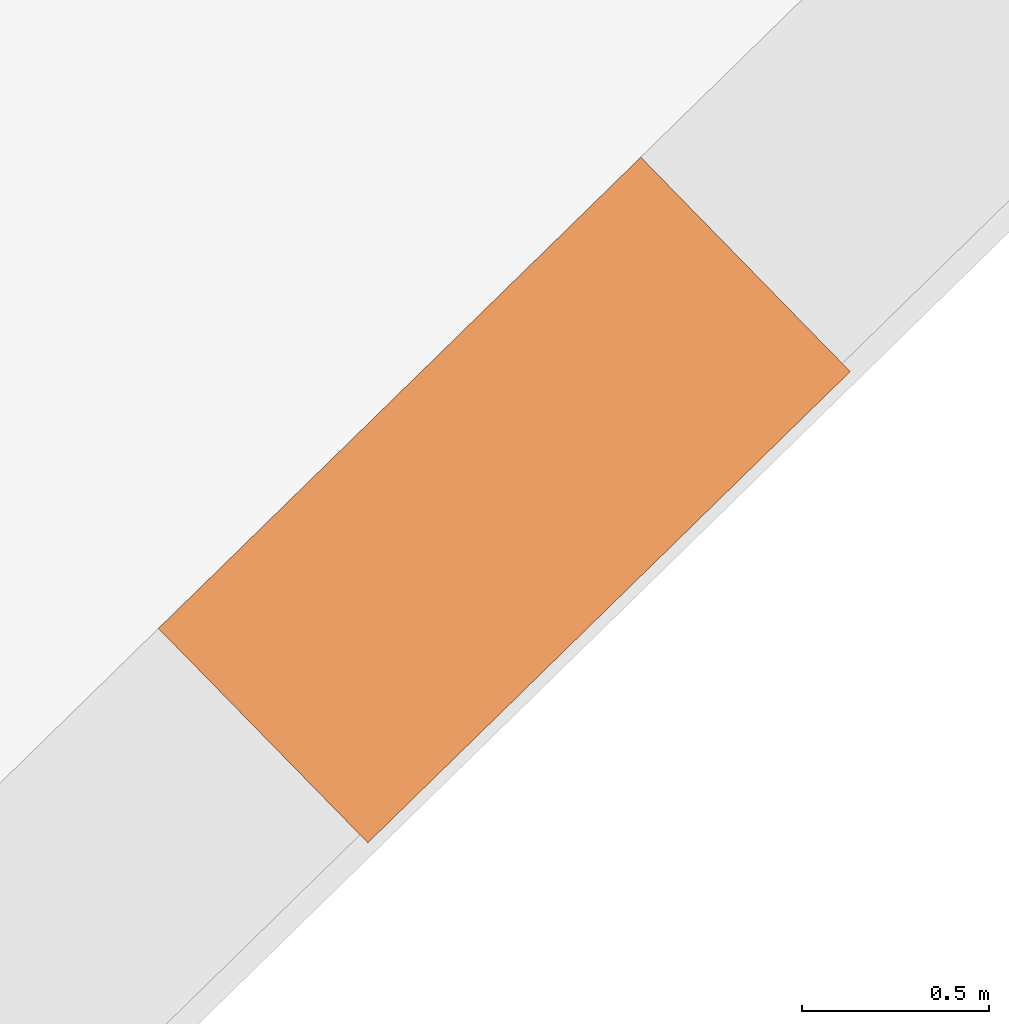
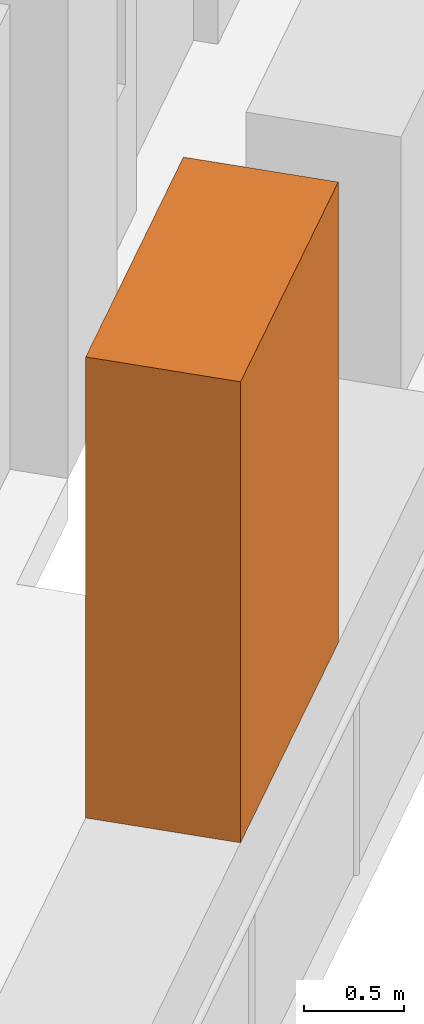
# One storey, part 18 of 18: 1 proxy.
"""IFC4 building model written with IfcOpenShell, lengths in metres."""

from ifc_helpers import new_model, si_unit, direction, frame, origin, origin_2d, place, context, subcontext, project, spatial, rectangle, extrude, element, save


model = new_model("IFC4")

# Units and contexts
model_context = context("Model", 3, precision=1e-05, world=origin(), true_north=direction((0.0, 1.0)))
body_context = subcontext(model_context, "Body", "Model", "MODEL_VIEW")
ifc_project = project(units=[si_unit("LENGTHUNIT", "METRE"), si_unit("AREAUNIT", "SQUARE_METRE"), si_unit("VOLUMEUNIT", "CUBIC_METRE"), si_unit("PLANEANGLEUNIT", "RADIAN"), si_unit("MASSUNIT", "GRAM", prefix="KILO")], contexts=[model_context])

# Site, building, storey
site_placement = place(None, origin())
site = spatial("IfcSite", under=ifc_project, at=site_placement, CompositionType="ELEMENT")
building_placement = place(site_placement, origin())
building = spatial("IfcBuilding", under=site, at=building_placement, Name="Cantera Rosa Tower", CompositionType="ELEMENT")
storey_placement = place(building_placement, frame((0.0, 0.0, 219.800048828125)))
storey = spatial("IfcBuildingStorey", under=building, at=storey_placement, Name="L47", CompositionType="ELEMENT", Elevation=219.800048828125)

# Proxy
proxy_placement = place(storey_placement, frame((10.46240234375, -23.186767578125, 1.60009765625), z_axis=(0.0, 0.0, 1.0), x_axis=(0.71528629107, 0.698831540364, 0.0)))
element("IfcBuildingElementProxy", 1, at=proxy_placement, inside=storey, Name="TREE L47-17", ObjectType="TREE", PredefinedType="USERDEFINED", context=body_context, shape_type="SweptSolid", body=[
    extrude(rectangle(XDim=1.800048828125, YDim=0.800048828125, at=origin_2d()), origin(), (0.0, 0.0, 1.0), 2.800048828125),
])

save(model, "model.ifc")
